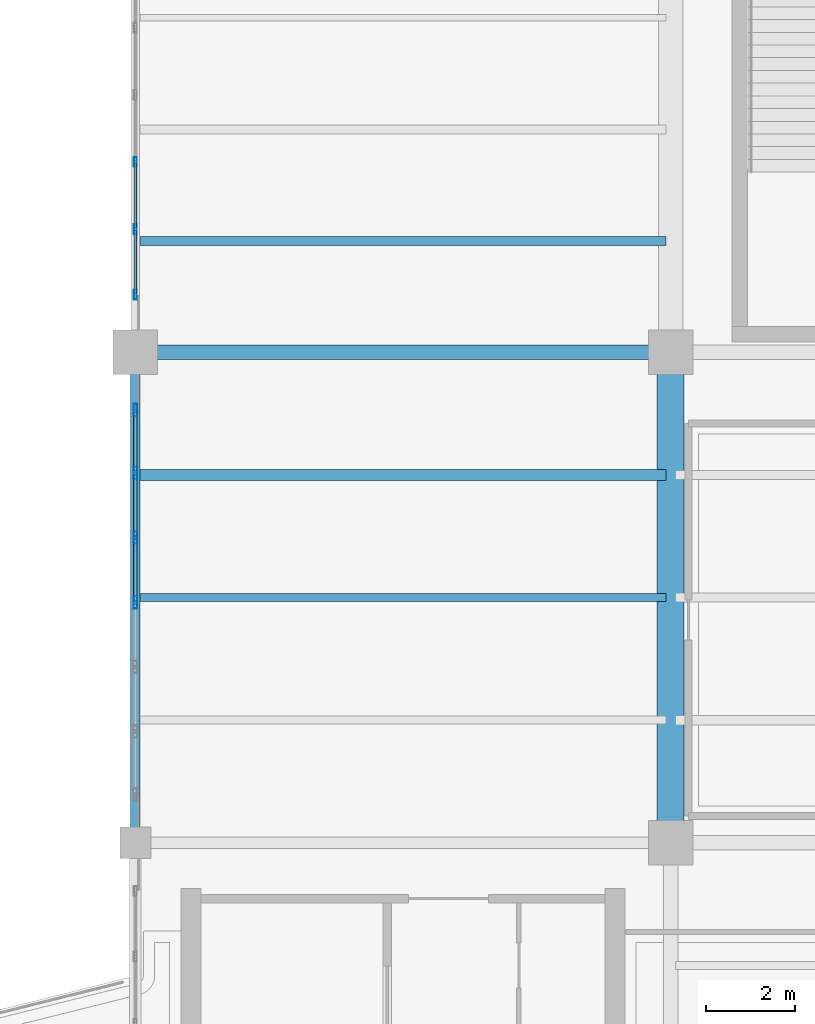
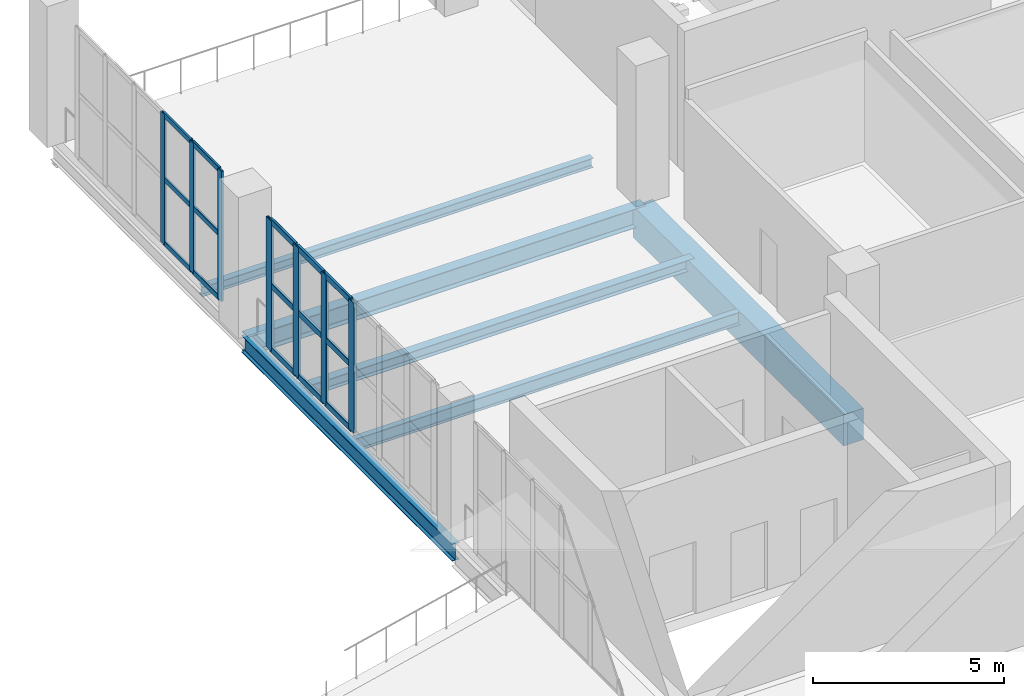
# One storey, part 41 of 108: 22 members, 6 beams, 2 elements without a shape of their own.
"""IFC4 building model written with IfcOpenShell, lengths in metres."""

from ifc_helpers import new_model, si_unit, direction, frame, origin, origin_2d, place, context, subcontext, project, spatial, rectangle, hollow_rectangle, i_section, extrude, material, layer, layer_set, material_profile, profile_set, type_object, element, aggregate, save


model = new_model("IFC4")

# Units and contexts
model_context = context("Model", 3, precision=1e-05, world=origin(), true_north=direction((0.0, 1.0)))
body_context = subcontext(model_context, "Body", "Model", "MODEL_VIEW")
ifc_project = project(units=[si_unit("LENGTHUNIT", "METRE"), si_unit("AREAUNIT", "SQUARE_METRE"), si_unit("VOLUMEUNIT", "CUBIC_METRE"), si_unit("PLANEANGLEUNIT", "RADIAN"), si_unit("MASSUNIT", "GRAM", prefix="KILO")], contexts=[model_context])

# Site, building, storey
site_placement = place(None, origin())
site = spatial("IfcSite", under=ifc_project, at=site_placement, CompositionType="ELEMENT")
building_placement = place(site_placement, origin())
building = spatial("IfcBuilding", under=site, at=building_placement, Name="Brinegate Civic Arena", CompositionType="ELEMENT")
storey_placement = place(building_placement, frame((0.0, 0.0, 10.199951171875)))
storey = spatial("IfcBuildingStorey", under=building, at=storey_placement, Name="L02", CompositionType="ELEMENT", Elevation=10.199951171875)

# Curtain wall, members
ifc_material_1 = material(Name="Marine grade aluminium", Category="aluminium")
ifc_layer = layer(ifc_material_1, 0.199951171875, Name="Marine grade aluminium")
ifc_layer_set = layer_set([ifc_layer], Name="Marine grade aluminium")
curtain_wall_type = type_object("IfcCurtainWallType", Name="CW-BOWL-GLAZED-01", PredefinedType="USERDEFINED", material=ifc_layer_set)
curtain_wall_1_placement = place(storey_placement, origin())
curtain_wall_1 = element("IfcCurtainWall", 1, at=curtain_wall_1_placement, inside=storey, type_object=curtain_wall_type, Name="Curtain Wall CWA-093", ObjectType="GLAZED CURTAIN WALL", PredefinedType="USERDEFINED")
ifc_material_profile_1 = material_profile(ifc_material_1, hollow_rectangle(XDim=0.06494140625, YDim=0.219970703125, WallThickness=0.006103515625, InnerFilletRadius=0.00390625, OuterFilletRadius=0.008056640625, at=origin_2d()), Name="MUL65X220")
ifc_profile_set_1 = profile_set([ifc_material_profile_1], Name="Marine grade aluminium")
member_type_1 = type_object("IfcMemberType", Name="CW-MULLION-65X220", PredefinedType="MULLION", material=ifc_profile_set_1)
member_1_placement = place(storey_placement, frame((48.0, 105.28955078125, 0.0), z_axis=(0.0, 0.0, 1.0), x_axis=(-1.0, 0.0, 0.0)))
member_1 = element("IfcMember", 2, at=member_1_placement, type_object=member_type_1, Name="CWA-093 mullion 1", PredefinedType="MULLION", context=body_context, shape_type="SweptSolid", body=[
    extrude(hollow_rectangle(XDim=0.06494140625, YDim=0.219970703125, WallThickness=0.006103515625, InnerFilletRadius=0.00390625, OuterFilletRadius=0.008056640625, at=origin_2d()), origin(), (0.0, 0.0, 1.0), 4.150146484375),
])
member_2_placement = place(storey_placement, frame((48.0, 106.76123046875, 0.0), z_axis=(0.0, 0.0, 1.0), x_axis=(-1.0, 0.0, 0.0)))
member_2 = element("IfcMember", 3, at=member_2_placement, type_object=member_type_1, Name="CWA-093 mullion 2", PredefinedType="MULLION", context=body_context, shape_type="SweptSolid", body=[
    extrude(hollow_rectangle(XDim=0.06494140625, YDim=0.219970703125, WallThickness=0.006103515625, InnerFilletRadius=0.00390625, OuterFilletRadius=0.008056640625, at=origin_2d()), origin(), (0.0, 0.0, 1.0), 4.150146484375),
])
member_3_placement = place(storey_placement, frame((48.0, 108.265380859375, 0.0), z_axis=(0.0, 0.0, 1.0), x_axis=(-1.0, 0.0, 0.0)))
member_3 = element("IfcMember", 4, at=member_3_placement, type_object=member_type_1, Name="CWA-093 mullion 3", PredefinedType="MULLION", context=body_context, shape_type="SweptSolid", body=[
    extrude(hollow_rectangle(XDim=0.06494140625, YDim=0.219970703125, WallThickness=0.006103515625, InnerFilletRadius=0.00390625, OuterFilletRadius=0.008056640625, at=origin_2d()), origin(), (0.0, 0.0, 1.0), 4.150146484375),
])

curtain_wall_2_placement = place(storey_placement, origin())
curtain_wall_2 = element("IfcCurtainWall", 5, at=curtain_wall_2_placement, inside=storey, type_object=curtain_wall_type, Name="Curtain Wall CWA-091", ObjectType="GLAZED CURTAIN WALL", PredefinedType="USERDEFINED")
ifc_material_profile_2 = material_profile(ifc_material_1, hollow_rectangle(XDim=0.080078125, YDim=0.280029296875, WallThickness=0.007080078125, InnerFilletRadius=0.0048828125, OuterFilletRadius=0.010009765625, at=origin_2d()), Name="MUL80X280")
ifc_profile_set_2 = profile_set([ifc_material_profile_2], Name="Marine grade aluminium")
member_type_2 = type_object("IfcMemberType", Name="CW-MULLION-80X280", PredefinedType="MULLION", material=ifc_profile_set_2)
member_4_placement = place(storey_placement, frame((48.0, 98.39404296875, 0.0), z_axis=(0.0, 0.0, 1.0), x_axis=(-1.0, 0.0, 0.0)))
member_4 = element("IfcMember", 6, at=member_4_placement, type_object=member_type_2, Name="CWA-091 mullion 4", PredefinedType="MULLION", context=body_context, shape_type="SweptSolid", body=[
    extrude(hollow_rectangle(XDim=0.080078125, YDim=0.280029296875, WallThickness=0.007080078125, InnerFilletRadius=0.0048828125, OuterFilletRadius=0.010009765625, at=origin_2d()), origin(), (0.0, 0.0, 1.0), 4.150146484375),
])
member_5_placement = place(storey_placement, frame((48.0, 99.84375, 0.0), z_axis=(0.0, 0.0, 1.0), x_axis=(-1.0, 0.0, 0.0)))
member_5 = element("IfcMember", 7, at=member_5_placement, type_object=member_type_2, Name="CWA-091 mullion 5", PredefinedType="MULLION", context=body_context, shape_type="SweptSolid", body=[
    extrude(hollow_rectangle(XDim=0.080078125, YDim=0.280029296875, WallThickness=0.007080078125, InnerFilletRadius=0.0048828125, OuterFilletRadius=0.010009765625, at=origin_2d()), origin(), (0.0, 0.0, 1.0), 4.150146484375),
])
member_6_placement = place(storey_placement, frame((48.0, 101.293212890625, 0.0), z_axis=(0.0, 0.0, 1.0), x_axis=(-1.0, 0.0, 0.0)))
member_6 = element("IfcMember", 8, at=member_6_placement, type_object=member_type_2, Name="CWA-091 mullion 6", PredefinedType="MULLION", context=body_context, shape_type="SweptSolid", body=[
    extrude(hollow_rectangle(XDim=0.080078125, YDim=0.280029296875, WallThickness=0.007080078125, InnerFilletRadius=0.0048828125, OuterFilletRadius=0.010009765625, at=origin_2d()), origin(), (0.0, 0.0, 1.0), 4.150146484375),
])
member_7_placement = place(storey_placement, frame((48.0, 102.702880859375, 0.0), z_axis=(0.0, 0.0, 1.0), x_axis=(-1.0, 0.0, 0.0)))
member_7 = element("IfcMember", 9, at=member_7_placement, type_object=member_type_2, Name="CWA-091 mullion 7", PredefinedType="MULLION", context=body_context, shape_type="SweptSolid", body=[
    extrude(hollow_rectangle(XDim=0.080078125, YDim=0.280029296875, WallThickness=0.007080078125, InnerFilletRadius=0.0048828125, OuterFilletRadius=0.010009765625, at=origin_2d()), origin(), (0.0, 0.0, 1.0), 4.150146484375),
])

# Member
ifc_material_profile_3 = material_profile(ifc_material_1, hollow_rectangle(XDim=0.06494140625, YDim=0.1650390625, WallThickness=0.0048828125, InnerFilletRadius=0.00390625, OuterFilletRadius=0.008056640625, at=origin_2d()), Name="TRN65X165")
ifc_profile_set_3 = profile_set([ifc_material_profile_3], Name="Marine grade aluminium")
member_type_3 = type_object("IfcMemberType", Name="CW-TRANSOM-65X165", PredefinedType="USERDEFINED", material=ifc_profile_set_3)
member_8_placement = place(storey_placement, frame((48.0, 105.322021484375, 0.032470703125), z_axis=(0.0, 1.0, 0.0), x_axis=(-1.0, 0.0, 0.0)))
member_8 = element("IfcMember", 10, at=member_8_placement, type_object=member_type_3, Name="CWA-093 transom 1.1", ObjectType="TRANSOM", PredefinedType="USERDEFINED", context=body_context, shape_type="SweptSolid", body=[
    extrude(hollow_rectangle(XDim=0.06494140625, YDim=0.1650390625, WallThickness=0.0048828125, InnerFilletRadius=0.00390625, OuterFilletRadius=0.008056640625, at=origin_2d()), origin(), (0.0, 0.0, 1.0), 1.40673828125),
])

member_9_placement = place(storey_placement, frame((48.0, 105.322021484375, 2.074951171875), z_axis=(0.0, 1.0, 0.0), x_axis=(-1.0, 0.0, 0.0)))
member_9 = element("IfcMember", 11, at=member_9_placement, type_object=member_type_3, Name="CWA-093 transom 1.2", ObjectType="TRANSOM", PredefinedType="USERDEFINED", context=body_context, shape_type="SweptSolid", body=[
    extrude(hollow_rectangle(XDim=0.06494140625, YDim=0.1650390625, WallThickness=0.0048828125, InnerFilletRadius=0.00390625, OuterFilletRadius=0.008056640625, at=origin_2d()), origin(), (0.0, 0.0, 1.0), 1.40673828125),
])

member_10_placement = place(storey_placement, frame((48.0, 105.322021484375, 4.117431640625), z_axis=(0.0, 1.0, 0.0), x_axis=(-1.0, 0.0, 0.0)))
member_10 = element("IfcMember", 12, at=member_10_placement, type_object=member_type_3, Name="CWA-093 transom 1.3", ObjectType="TRANSOM", PredefinedType="USERDEFINED", context=body_context, shape_type="SweptSolid", body=[
    extrude(hollow_rectangle(XDim=0.06494140625, YDim=0.1650390625, WallThickness=0.0048828125, InnerFilletRadius=0.00390625, OuterFilletRadius=0.008056640625, at=origin_2d()), origin(), (0.0, 0.0, 1.0), 1.40673828125),
])

member_11_placement = place(storey_placement, frame((48.0, 106.793701171875, 0.032470703125), z_axis=(0.0, 1.0, 0.0), x_axis=(-1.0, 0.0, 0.0)))
member_11 = element("IfcMember", 13, at=member_11_placement, type_object=member_type_3, Name="CWA-093 transom 2.1", ObjectType="TRANSOM", PredefinedType="USERDEFINED", context=body_context, shape_type="SweptSolid", body=[
    extrude(hollow_rectangle(XDim=0.06494140625, YDim=0.1650390625, WallThickness=0.0048828125, InnerFilletRadius=0.00390625, OuterFilletRadius=0.008056640625, at=origin_2d()), origin(), (0.0, 0.0, 1.0), 1.439208984375),
])

member_12_placement = place(storey_placement, frame((48.0, 106.793701171875, 2.074951171875), z_axis=(0.0, 1.0, 0.0), x_axis=(-1.0, 0.0, 0.0)))
member_12 = element("IfcMember", 14, at=member_12_placement, type_object=member_type_3, Name="CWA-093 transom 2.2", ObjectType="TRANSOM", PredefinedType="USERDEFINED", context=body_context, shape_type="SweptSolid", body=[
    extrude(hollow_rectangle(XDim=0.06494140625, YDim=0.1650390625, WallThickness=0.0048828125, InnerFilletRadius=0.00390625, OuterFilletRadius=0.008056640625, at=origin_2d()), origin(), (0.0, 0.0, 1.0), 1.439208984375),
])

member_13_placement = place(storey_placement, frame((48.0, 106.793701171875, 4.117431640625), z_axis=(0.0, 1.0, 0.0), x_axis=(-1.0, 0.0, 0.0)))
member_13 = element("IfcMember", 15, at=member_13_placement, type_object=member_type_3, Name="CWA-093 transom 2.3", ObjectType="TRANSOM", PredefinedType="USERDEFINED", context=body_context, shape_type="SweptSolid", body=[
    extrude(hollow_rectangle(XDim=0.06494140625, YDim=0.1650390625, WallThickness=0.0048828125, InnerFilletRadius=0.00390625, OuterFilletRadius=0.008056640625, at=origin_2d()), origin(), (0.0, 0.0, 1.0), 1.439208984375),
])

aggregate(curtain_wall_1, [member_1, member_2, member_3, member_8, member_9, member_10, member_11, member_12, member_13])

ifc_material_profile_4 = material_profile(ifc_material_1, hollow_rectangle(XDim=0.074951171875, YDim=0.18994140625, WallThickness=0.006103515625, InnerFilletRadius=0.00390625, OuterFilletRadius=0.008056640625, at=origin_2d()), Name="TRN75X190")
ifc_profile_set_4 = profile_set([ifc_material_profile_4], Name="Marine grade aluminium")
member_type_4 = type_object("IfcMemberType", Name="CW-TRANSOM-75X190", PredefinedType="USERDEFINED", material=ifc_profile_set_4)
member_14_placement = place(storey_placement, frame((48.0, 98.43408203125, 0.03759765625), z_axis=(0.0, 1.0, 0.0), x_axis=(-1.0, 0.0, 0.0)))
member_14 = element("IfcMember", 16, at=member_14_placement, type_object=member_type_4, Name="CWA-091 transom 4.1", ObjectType="TRANSOM", PredefinedType="USERDEFINED", context=body_context, shape_type="SweptSolid", body=[
    extrude(hollow_rectangle(XDim=0.074951171875, YDim=0.18994140625, WallThickness=0.006103515625, InnerFilletRadius=0.00390625, OuterFilletRadius=0.008056640625, at=origin_2d()), origin(), (0.0, 0.0, 1.0), 1.36962890625),
])

member_15_placement = place(storey_placement, frame((48.0, 98.43408203125, 2.074951171875), z_axis=(0.0, 1.0, 0.0), x_axis=(-1.0, 0.0, 0.0)))
member_15 = element("IfcMember", 17, at=member_15_placement, type_object=member_type_4, Name="CWA-091 transom 4.2", ObjectType="TRANSOM", PredefinedType="USERDEFINED", context=body_context, shape_type="SweptSolid", body=[
    extrude(hollow_rectangle(XDim=0.074951171875, YDim=0.18994140625, WallThickness=0.006103515625, InnerFilletRadius=0.00390625, OuterFilletRadius=0.008056640625, at=origin_2d()), origin(), (0.0, 0.0, 1.0), 1.36962890625),
])

member_16_placement = place(storey_placement, frame((48.0, 98.43408203125, 4.112548828125), z_axis=(0.0, 1.0, 0.0), x_axis=(-1.0, 0.0, 0.0)))
member_16 = element("IfcMember", 18, at=member_16_placement, type_object=member_type_4, Name="CWA-091 transom 4.3", ObjectType="TRANSOM", PredefinedType="USERDEFINED", context=body_context, shape_type="SweptSolid", body=[
    extrude(hollow_rectangle(XDim=0.074951171875, YDim=0.18994140625, WallThickness=0.006103515625, InnerFilletRadius=0.00390625, OuterFilletRadius=0.008056640625, at=origin_2d()), origin(), (0.0, 0.0, 1.0), 1.36962890625),
])

member_17_placement = place(storey_placement, frame((48.0, 99.883544921875, 0.03759765625), z_axis=(0.0, 1.0, 0.0), x_axis=(-1.0, 0.0, 0.0)))
member_17 = element("IfcMember", 19, at=member_17_placement, type_object=member_type_4, Name="CWA-091 transom 5.1", ObjectType="TRANSOM", PredefinedType="USERDEFINED", context=body_context, shape_type="SweptSolid", body=[
    extrude(hollow_rectangle(XDim=0.074951171875, YDim=0.18994140625, WallThickness=0.006103515625, InnerFilletRadius=0.00390625, OuterFilletRadius=0.008056640625, at=origin_2d()), origin(), (0.0, 0.0, 1.0), 1.369873046875),
])

member_18_placement = place(storey_placement, frame((48.0, 99.883544921875, 2.074951171875), z_axis=(0.0, 1.0, 0.0), x_axis=(-1.0, 0.0, 0.0)))
member_18 = element("IfcMember", 20, at=member_18_placement, type_object=member_type_4, Name="CWA-091 transom 5.2", ObjectType="TRANSOM", PredefinedType="USERDEFINED", context=body_context, shape_type="SweptSolid", body=[
    extrude(hollow_rectangle(XDim=0.074951171875, YDim=0.18994140625, WallThickness=0.006103515625, InnerFilletRadius=0.00390625, OuterFilletRadius=0.008056640625, at=origin_2d()), origin(), (0.0, 0.0, 1.0), 1.369873046875),
])

member_19_placement = place(storey_placement, frame((48.0, 99.883544921875, 4.112548828125), z_axis=(0.0, 1.0, 0.0), x_axis=(-1.0, 0.0, 0.0)))
member_19 = element("IfcMember", 21, at=member_19_placement, type_object=member_type_4, Name="CWA-091 transom 5.3", ObjectType="TRANSOM", PredefinedType="USERDEFINED", context=body_context, shape_type="SweptSolid", body=[
    extrude(hollow_rectangle(XDim=0.074951171875, YDim=0.18994140625, WallThickness=0.006103515625, InnerFilletRadius=0.00390625, OuterFilletRadius=0.008056640625, at=origin_2d()), origin(), (0.0, 0.0, 1.0), 1.369873046875),
])

member_20_placement = place(storey_placement, frame((48.0, 101.333251953125, 0.03759765625), z_axis=(0.0, 1.0, 0.0), x_axis=(-1.0, 0.0, 0.0)))
member_20 = element("IfcMember", 22, at=member_20_placement, type_object=member_type_4, Name="CWA-091 transom 6.1", ObjectType="TRANSOM", PredefinedType="USERDEFINED", context=body_context, shape_type="SweptSolid", body=[
    extrude(hollow_rectangle(XDim=0.074951171875, YDim=0.18994140625, WallThickness=0.006103515625, InnerFilletRadius=0.00390625, OuterFilletRadius=0.008056640625, at=origin_2d()), origin(), (0.0, 0.0, 1.0), 1.329833984375),
])

member_21_placement = place(storey_placement, frame((48.0, 101.333251953125, 2.074951171875), z_axis=(0.0, 1.0, 0.0), x_axis=(-1.0, 0.0, 0.0)))
member_21 = element("IfcMember", 23, at=member_21_placement, type_object=member_type_4, Name="CWA-091 transom 6.2", ObjectType="TRANSOM", PredefinedType="USERDEFINED", context=body_context, shape_type="SweptSolid", body=[
    extrude(hollow_rectangle(XDim=0.074951171875, YDim=0.18994140625, WallThickness=0.006103515625, InnerFilletRadius=0.00390625, OuterFilletRadius=0.008056640625, at=origin_2d()), origin(), (0.0, 0.0, 1.0), 1.329833984375),
])

member_22_placement = place(storey_placement, frame((48.0, 101.333251953125, 4.112548828125), z_axis=(0.0, 1.0, 0.0), x_axis=(-1.0, 0.0, 0.0)))
member_22 = element("IfcMember", 24, at=member_22_placement, type_object=member_type_4, Name="CWA-091 transom 6.3", ObjectType="TRANSOM", PredefinedType="USERDEFINED", context=body_context, shape_type="SweptSolid", body=[
    extrude(hollow_rectangle(XDim=0.074951171875, YDim=0.18994140625, WallThickness=0.006103515625, InnerFilletRadius=0.00390625, OuterFilletRadius=0.008056640625, at=origin_2d()), origin(), (0.0, 0.0, 1.0), 1.329833984375),
])

aggregate(curtain_wall_2, [member_4, member_5, member_6, member_7, member_14, member_15, member_16, member_17, member_18, member_19, member_20, member_21, member_22])

# Beams
ifc_material_2 = material(Name="Steel S355", Category="steel")
ifc_material_profile_5 = material_profile(ifc_material_2, i_section(OverallWidth=0.323974609375, OverallDepth=0.611083984375, WebThickness=0.012939453125, FlangeThickness=0.01904296875, FilletRadius=0.01611328125, at=origin_2d()), Name="W610X155")
ifc_profile_set_5 = profile_set([ifc_material_profile_5], Name="Steel S355")
beam_type_1 = type_object("IfcBeamType", Name="GIRDER-W610X155", PredefinedType="BEAM", material=ifc_profile_set_5)
beam_1_placement = place(storey_placement, frame((48.0, 104.0, -0.635009765625), z_axis=(1.0, 0.0, 0.0), x_axis=(0.0, 1.0, 0.0)))
element("IfcBeam", 25, at=beam_1_placement, inside=storey, type_object=beam_type_1, Name="Floor Girder BM-L02-GX-04-10", PredefinedType="BEAM", context=body_context, shape_type="SweptSolid", body=[
    extrude(i_section(OverallWidth=0.323974609375, OverallDepth=0.611083984375, WebThickness=0.012939453125, FlangeThickness=0.01904296875, FilletRadius=0.01611328125, at=origin_2d()), origin(), (0.0, 0.0, 1.0), 12.0),
])
ifc_material_profile_6 = material_profile(ifc_material_2, i_section(OverallWidth=0.202880859375, OverallDepth=0.302978515625, WebThickness=0.008056640625, FlangeThickness=0.012939453125, FilletRadius=0.012939453125, at=origin_2d()), Name="W310X60")
ifc_profile_set_6 = profile_set([ifc_material_profile_6], Name="Steel S355")
beam_type_2 = type_object("IfcBeamType", Name="JOIST-W310X60", PredefinedType="JOIST", material=ifc_profile_set_6)
beam_2_placement = place(storey_placement, frame((48.10595703125, 106.5, -0.48095703125), z_axis=(1.0, 0.0, 0.0), x_axis=(0.0, 1.0, 0.0)))
element("IfcBeam", 26, at=beam_2_placement, inside=storey, type_object=beam_type_2, Name="Secondary Joist BM-L02-JX-04-10-1", PredefinedType="JOIST", context=body_context, shape_type="SweptSolid", body=[
    extrude(i_section(OverallWidth=0.202880859375, OverallDepth=0.302978515625, WebThickness=0.008056640625, FlangeThickness=0.012939453125, FilletRadius=0.012939453125, at=origin_2d()), origin(), (0.0, 0.0, 1.0), 11.7880859375),
])
ifc_material_profile_7 = material_profile(ifc_material_2, i_section(OverallWidth=0.25390625, OverallDepth=0.35302734375, WebThickness=0.010009765625, FlangeThickness=0.01611328125, FilletRadius=0.013916015625, at=origin_2d()), Name="W360X91")
ifc_profile_set_7 = profile_set([ifc_material_profile_7], Name="Steel S355")
beam_type_3 = type_object("IfcBeamType", Name="JOIST-W360X91", PredefinedType="JOIST", material=ifc_profile_set_7)
beam_3_placement = place(storey_placement, frame((48.10595703125, 101.25, -0.505859375), z_axis=(1.0, 0.0, 0.0), x_axis=(0.0, 1.0, 0.0)))
element("IfcBeam", 27, at=beam_3_placement, inside=storey, type_object=beam_type_3, Name="Secondary Joist BM-L02-JX-04-09-3", PredefinedType="JOIST", context=body_context, shape_type="SweptSolid", body=[
    extrude(i_section(OverallWidth=0.25390625, OverallDepth=0.35302734375, WebThickness=0.010009765625, FlangeThickness=0.01611328125, FilletRadius=0.013916015625, at=origin_2d()), origin(), (0.0, 0.0, 1.0), 11.7880859375),
])
ifc_material_profile_8 = material_profile(ifc_material_2, i_section(OverallWidth=0.178955078125, OverallDepth=0.409912109375, WebThickness=0.009033203125, FlangeThickness=0.013916015625, FilletRadius=0.013916015625, at=origin_2d()), Name="W410X67")
ifc_profile_set_8 = profile_set([ifc_material_profile_8], Name="Steel S355")
beam_type_4 = type_object("IfcBeamType", Name="JOIST-W410X67", PredefinedType="JOIST", material=ifc_profile_set_8)
beam_4_placement = place(storey_placement, frame((48.10595703125, 98.5, -0.534912109375), z_axis=(1.0, 0.0, 0.0), x_axis=(0.0, 1.0, 0.0)))
element("IfcBeam", 28, at=beam_4_placement, inside=storey, type_object=beam_type_4, Name="Secondary Joist BM-L02-JX-04-09-2", PredefinedType="JOIST", context=body_context, shape_type="SweptSolid", body=[
    extrude(i_section(OverallWidth=0.178955078125, OverallDepth=0.409912109375, WebThickness=0.009033203125, FlangeThickness=0.013916015625, FilletRadius=0.013916015625, at=origin_2d()), origin(), (0.0, 0.0, 1.0), 11.7880859375),
])
ifc_material_3 = material(Name="Concrete C50/60", Category="concrete")
ifc_material_profile_9 = material_profile(ifc_material_3, rectangle(XDim=0.60009765625, YDim=1.0, at=origin_2d()), Name="RCB600X1000")
ifc_profile_set_9 = profile_set([ifc_material_profile_9], Name="Concrete C50/60")
beam_type_5 = type_object("IfcBeamType", Name="RCG-600X1000", PredefinedType="BEAM", material=ifc_profile_set_9)
beam_5_placement = place(storey_placement, frame((60.0, 93.0, -0.829833984375), z_axis=(0.0, 1.0, 0.0), x_axis=(-1.0, 0.0, 0.0)))
element("IfcBeam", 29, at=beam_5_placement, inside=storey, type_object=beam_type_5, Name="Floor Girder BM-L02-GY-05-09", PredefinedType="BEAM", context=body_context, shape_type="SweptSolid", body=[
    extrude(rectangle(XDim=0.60009765625, YDim=1.0, at=origin_2d()), origin(), (0.0, 0.0, 1.0), 11.0),
])
ifc_material_profile_10 = material_profile(ifc_material_2, i_section(OverallWidth=0.2119140625, OverallDepth=0.5439453125, WebThickness=0.012939453125, FlangeThickness=0.02099609375, FilletRadius=0.01611328125, at=origin_2d()), Name="W530X123")
ifc_profile_set_10 = profile_set([ifc_material_profile_10], Name="Steel S355")
beam_type_6 = type_object("IfcBeamType", Name="SPANDREL-W530X123", PredefinedType="SPANDREL", material=ifc_profile_set_10)
beam_6_placement = place(storey_placement, frame((48.0, 93.0, -0.60205078125), z_axis=(0.0, 1.0, 0.0), x_axis=(-1.0, 0.0, 0.0)))
element("IfcBeam", 30, at=beam_6_placement, inside=storey, type_object=beam_type_6, Name="Floor Girder BM-L02-GY-04-09", PredefinedType="SPANDREL", context=body_context, shape_type="SweptSolid", body=[
    extrude(i_section(OverallWidth=0.2119140625, OverallDepth=0.5439453125, WebThickness=0.012939453125, FlangeThickness=0.02099609375, FilletRadius=0.01611328125, at=origin_2d()), origin(), (0.0, 0.0, 1.0), 11.0),
])

save(model, "model.ifc")
